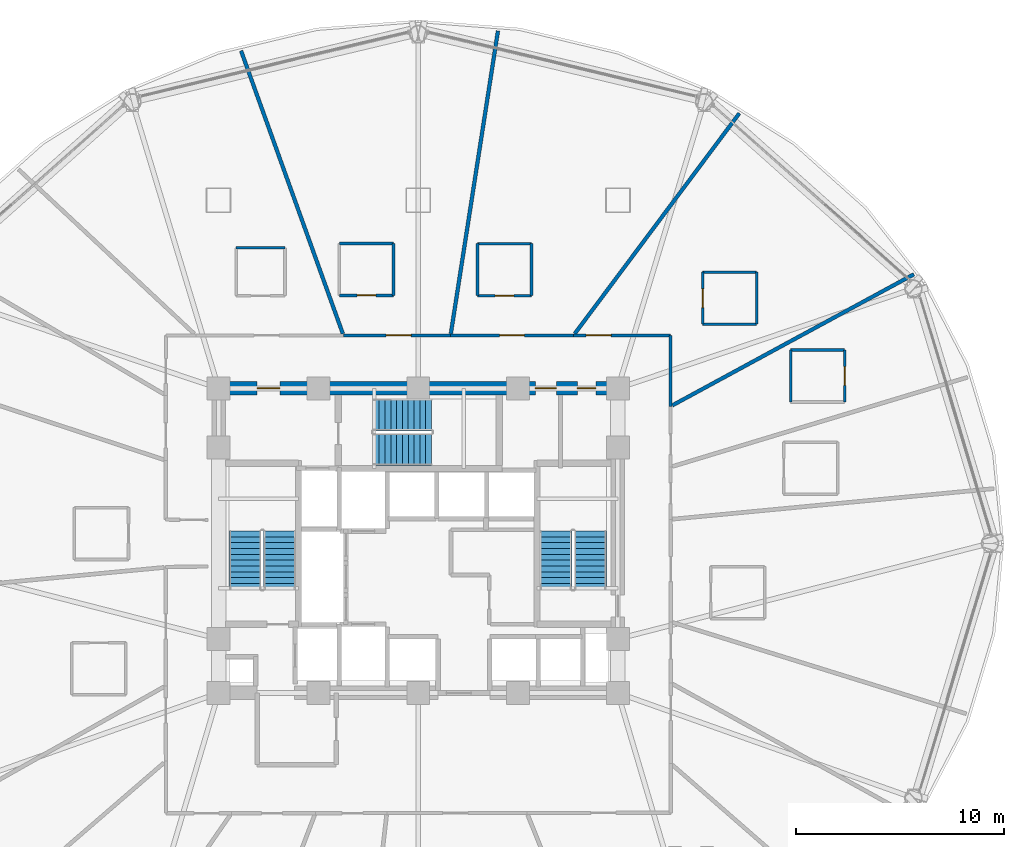
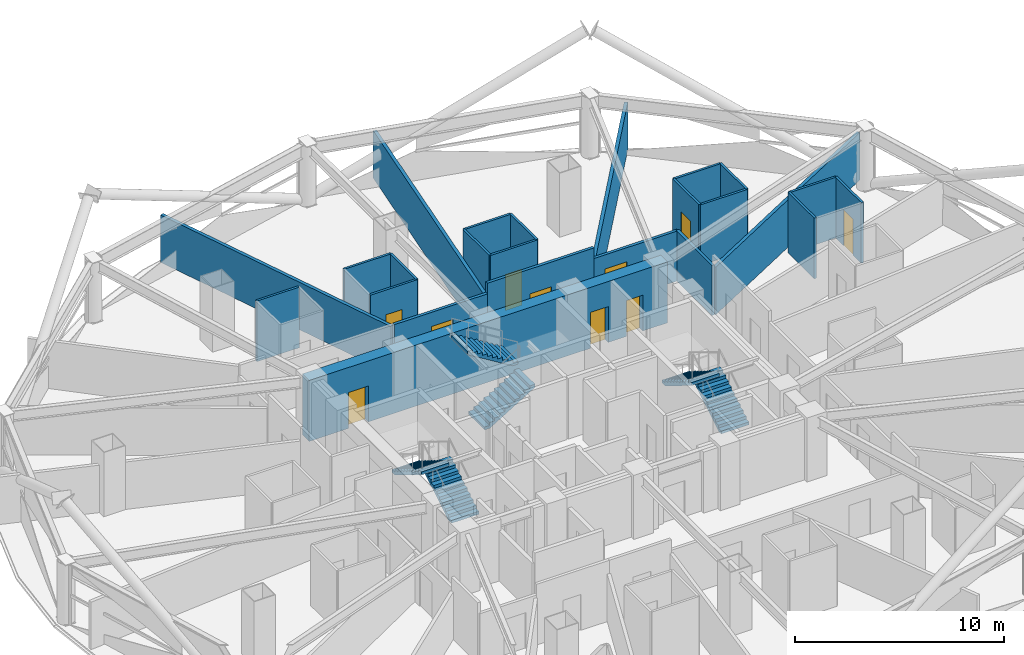
# One storey, part 25 of 30: 24 walls, 10 doors, 6 stair flights, 10 openings, 3 elements without a shape of their own.
"""IFC4 building model written with IfcOpenShell, lengths in metres."""

from ifc_helpers import new_model, si_unit, direction, frame, frame_2d, origin, place, context, subcontext, project, spatial, polyline, rectangle, outline, extrude, material, layer, layer_set, type_object, element, fill, aggregate, save


model = new_model("IFC4")

# Units and contexts
model_context = context("Model", 3, precision=1e-05, world=origin(), true_north=direction((0.0, 1.0)))
body_context = subcontext(model_context, "Body", "Model", "MODEL_VIEW")
ifc_project = project(units=[si_unit("LENGTHUNIT", "METRE"), si_unit("AREAUNIT", "SQUARE_METRE"), si_unit("VOLUMEUNIT", "CUBIC_METRE"), si_unit("PLANEANGLEUNIT", "RADIAN"), si_unit("MASSUNIT", "GRAM", prefix="KILO")], contexts=[model_context])

# Site, building, storey
site_placement = place(None, origin())
site = spatial("IfcSite", under=ifc_project, at=site_placement, CompositionType="ELEMENT")
building_placement = place(site_placement, origin())
building = spatial("IfcBuilding", under=site, at=building_placement, Name="Vantalir Tower", CompositionType="ELEMENT")
storey_placement = place(building_placement, frame((0.0, 0.0, 79.5)))
storey = spatial("IfcBuildingStorey", under=building, at=storey_placement, Name="L19", CompositionType="ELEMENT", Elevation=79.5)

# Walls
ifc_material_1 = material(Name="Moisture-resistant en-suite partition", Category="gypsum")
ifc_layer_1 = layer(ifc_material_1, 0.125)
ifc_layer_set_1 = layer_set([ifc_layer_1], Name="Moisture-resistant en-suite partition")
wall_type_1 = type_object("IfcWallType", Name="WL-BATH-125", PredefinedType="PARTITIONING", material=ifc_layer_set_1)
wall_1_placement = place(storey_placement, frame((49.408935546875, 34.294921875, 0.0), z_axis=(0.0, 0.0, 1.0), x_axis=(1.0, 0.0, 0.0)))
element("IfcWall", 1, at=wall_1_placement, inside=storey, type_object=wall_type_1, Name="L19 En-suite 02 North Wall", PredefinedType="PARTITIONING", context=body_context, shape_type="SweptSolid", body=[
    extrude(rectangle(XDim=2.60009765625, YDim=0.125, at=frame_2d((1.300048828125, 0.0))), origin(), (0.0, 0.0, 1.0), 3.550048828125),
])
wall_2_placement = place(storey_placement, frame((49.408935546875, 31.794921875, 0.0), z_axis=(0.0, 0.0, 1.0), x_axis=(0.0, 1.0, 0.0)))
element("IfcWall", 2, at=wall_2_placement, inside=storey, type_object=wall_type_1, Name="L19 En-suite 02 West Wall", PredefinedType="PARTITIONING", context=body_context, shape_type="SweptSolid", body=[
    extrude(rectangle(XDim=2.5, YDim=0.125, at=frame_2d((1.25, 0.0))), origin(), (0.0, 0.0, 1.0), 3.550048828125),
])

# Wall, opening, door
wall_3_placement = place(storey_placement, frame((52.009033203125, 31.794921875, 0.0), z_axis=(0.0, 0.0, 1.0), x_axis=(0.0, 1.0, 0.0)))
wall_3 = element("IfcWall", 3, at=wall_3_placement, inside=storey, type_object=wall_type_1, Name="L19 En-suite 02 East Wall", PredefinedType="PARTITIONING", context=body_context, shape_type="SweptSolid", body=[
    extrude(rectangle(XDim=2.5, YDim=0.125, at=frame_2d((1.25, 0.0))), origin(), (0.0, 0.0, 1.0), 3.550048828125),
])
opening_1_placement = place(wall_3_placement, frame((0.800048828125, 0.0, 0.0)))
opening_1 = element("IfcOpeningElement", 4, at=opening_1_placement, cuts=wall_3, Name="Opening D-WC", PredefinedType="OPENING", context=body_context, shape_type="SweptSolid", body=[
    extrude(rectangle(XDim=0.89990234375, YDim=2.10009765625, at=frame_2d((0.449951171875, 1.050048828125))), frame((0.0, 0.072509765625, 0.0), z_axis=(0.0, -1.0, 0.0), x_axis=(1.0, 0.0, 0.0)), (0.0, 0.0, 1.0), 0.14501953125),
])
ifc_material_2 = material(Name="Moisture-resistant hardwood door", Category="wood")
door_type_1 = type_object("IfcDoorType", Name="DR-ENSUITE-900", OperationType="NOTDEFINED", PredefinedType="DOOR", material=ifc_material_2)
door_1_placement = place(opening_1_placement, origin())
door_1 = element("IfcDoor", 5, at=door_1_placement, inside=storey, type_object=door_type_1, Name="L19 En-suite 02 Door", OperationType="SINGLE_SWING_RIGHT", OverallHeight=2.10009765625, OverallWidth=0.89990234375, PredefinedType="DOOR", context=body_context, shape_type="SweptSolid", body=[
    extrude(rectangle(XDim=0.89990234375, YDim=2.10009765625, at=frame_2d((0.449951171875, 1.050048828125))), frame((0.0, 0.02490234375, 0.0), z_axis=(0.0, -1.0, 0.0), x_axis=(1.0, 0.0, 0.0)), (0.0, 0.0, 1.0), 0.050048828125),
])
fill(opening_1, door_1)

# Walls
for number, where, z_axis, x_axis, name in (
    (6, (45.177978515625, 35.541015625, 0.0), (0.0, 0.0, 1.0), (1.0, 0.0, 0.0), "L19 En-suite 03 South Wall"),
    (7, (45.177978515625, 38.041015625, 0.0), (0.0, 0.0, 1.0), (1.0, 0.0, 0.0), "L19 En-suite 03 North Wall"),
):
    element("IfcWall", number, at=place(storey_placement, frame(where, z_axis=z_axis, x_axis=x_axis)), inside=storey, type_object=wall_type_1, Name=name, PredefinedType="PARTITIONING", context=body_context, shape_type="SweptSolid", body=[
        extrude(rectangle(XDim=2.60009765625, YDim=0.125, at=frame_2d((1.300048828125, 0.0))), origin(), (0.0, 0.0, 1.0), 3.550048828125),
    ])

# Wall, opening, door
wall_4_placement = place(storey_placement, frame((45.177978515625, 35.541015625, 0.0), z_axis=(0.0, 0.0, 1.0), x_axis=(0.0, 1.0, 0.0)))
wall_4 = element("IfcWall", 8, at=wall_4_placement, inside=storey, type_object=wall_type_1, Name="L19 En-suite 03 West Wall", PredefinedType="PARTITIONING", context=body_context, shape_type="SweptSolid", body=[
    extrude(rectangle(XDim=2.5, YDim=0.125, at=frame_2d((1.25, 0.0))), origin(), (0.0, 0.0, 1.0), 3.550048828125),
])
opening_2_placement = place(wall_4_placement, frame((0.800048828125, 0.0, 0.0)))
opening_2 = element("IfcOpeningElement", 9, at=opening_2_placement, cuts=wall_4, Name="Opening D-WC", PredefinedType="OPENING", context=body_context, shape_type="SweptSolid", body=[
    extrude(rectangle(XDim=0.89990234375, YDim=2.10009765625, at=frame_2d((0.449951171875, 1.050048828125))), frame((0.0, 0.072509765625, 0.0), z_axis=(0.0, -1.0, 0.0), x_axis=(1.0, 0.0, 0.0)), (0.0, 0.0, 1.0), 0.14501953125),
])
door_2_placement = place(opening_2_placement, frame((0.89990234375, 0.0, 0.0), z_axis=(0.0, 0.0, 1.0), x_axis=(-1.0, 0.0, 0.0)))
door_2 = element("IfcDoor", 10, at=door_2_placement, inside=storey, type_object=door_type_1, Name="L19 En-suite 03 Door", OperationType="SINGLE_SWING_LEFT", OverallHeight=2.10009765625, OverallWidth=0.89990234375, PredefinedType="DOOR", context=body_context, shape_type="SweptSolid", body=[
    extrude(rectangle(XDim=0.89990234375, YDim=2.10009765625, at=frame_2d((0.449951171875, 1.050048828125))), frame((0.0, 0.02490234375, 0.0), z_axis=(0.0, -1.0, 0.0), x_axis=(1.0, 0.0, 0.0)), (0.0, 0.0, 1.0), 0.050048828125),
])
fill(opening_2, door_2)

# Wall
wall_5_placement = place(storey_placement, frame((47.778076171875, 35.541015625, 0.0), z_axis=(0.0, 0.0, 1.0), x_axis=(0.0, 1.0, 0.0)))
element("IfcWall", 11, at=wall_5_placement, inside=storey, type_object=wall_type_1, Name="L19 En-suite 03 East Wall", PredefinedType="PARTITIONING", context=body_context, shape_type="SweptSolid", body=[
    extrude(rectangle(XDim=2.5, YDim=0.125, at=frame_2d((1.25, 0.0))), origin(), (0.0, 0.0, 1.0), 3.550048828125),
])

# Wall, opening, door
wall_6_placement = place(storey_placement, frame((34.34912109375, 36.9130859375, 0.0), z_axis=(0.0, 0.0, 1.0), x_axis=(1.0, 0.0, 0.0)))
wall_6 = element("IfcWall", 12, at=wall_6_placement, inside=storey, type_object=wall_type_1, Name="L19 En-suite 04 South Wall", PredefinedType="PARTITIONING", context=body_context, shape_type="SweptSolid", body=[
    extrude(rectangle(XDim=2.599853515625, YDim=0.125, at=frame_2d((1.2998046875, 0.0))), origin(), (0.0, 0.0, 1.0), 3.550048828125),
])
opening_3_placement = place(wall_6_placement, frame((0.85009765625, 0.0, 0.0)))
opening_3 = element("IfcOpeningElement", 13, at=opening_3_placement, cuts=wall_6, Name="Opening D-WC", PredefinedType="OPENING", context=body_context, shape_type="SweptSolid", body=[
    extrude(rectangle(XDim=0.89990234375, YDim=2.10009765625, at=frame_2d((0.449951171875, 1.050048828125))), frame((0.0, 0.072509765625, 0.0), z_axis=(0.0, -1.0, 0.0), x_axis=(1.0, 0.0, 0.0)), (0.0, 0.0, 1.0), 0.14501953125),
])
door_3_placement = place(opening_3_placement, origin())
door_3 = element("IfcDoor", 14, at=door_3_placement, inside=storey, type_object=door_type_1, Name="L19 En-suite 04 Door", OperationType="SINGLE_SWING_RIGHT", OverallHeight=2.10009765625, OverallWidth=0.89990234375, PredefinedType="DOOR", context=body_context, shape_type="SweptSolid", body=[
    extrude(rectangle(XDim=0.89990234375, YDim=2.10009765625, at=frame_2d((0.449951171875, 1.050048828125))), frame((0.0, 0.02490234375, 0.0), z_axis=(0.0, -1.0, 0.0), x_axis=(1.0, 0.0, 0.0)), (0.0, 0.0, 1.0), 0.050048828125),
])
fill(opening_3, door_3)

# Walls
wall_7_placement = place(storey_placement, frame((34.34912109375, 39.4130859375, 0.0), z_axis=(0.0, 0.0, 1.0), x_axis=(1.0, 0.0, 0.0)))
element("IfcWall", 15, at=wall_7_placement, inside=storey, type_object=wall_type_1, Name="L19 En-suite 04 North Wall", PredefinedType="PARTITIONING", context=body_context, shape_type="SweptSolid", body=[
    extrude(rectangle(XDim=2.599853515625, YDim=0.125, at=frame_2d((1.2998046875, 0.0))), origin(), (0.0, 0.0, 1.0), 3.550048828125),
])
for number, where, z_axis, x_axis, name in (
    (16, (34.34912109375, 36.9130859375, 0.0), (0.0, 0.0, 1.0), (0.0, 1.0, 0.0), "L19 En-suite 04 West Wall"),
    (17, (36.948974609375, 36.9130859375, 0.0), (0.0, 0.0, 1.0), (0.0, 1.0, 0.0), "L19 En-suite 04 East Wall"),
):
    element("IfcWall", number, at=place(storey_placement, frame(where, z_axis=z_axis, x_axis=x_axis)), inside=storey, type_object=wall_type_1, Name=name, PredefinedType="PARTITIONING", context=body_context, shape_type="SweptSolid", body=[
        extrude(rectangle(XDim=2.5, YDim=0.125, at=frame_2d((1.25, 0.0))), origin(), (0.0, 0.0, 1.0), 3.550048828125),
    ])

# Wall, opening, door
wall_8_placement = place(storey_placement, frame((27.708984375, 36.919921875, 0.0), z_axis=(0.0, 0.0, 1.0), x_axis=(1.0, 0.0, 0.0)))
wall_8 = element("IfcWall", 18, at=wall_8_placement, inside=storey, type_object=wall_type_1, Name="L19 En-suite 05 South Wall", PredefinedType="PARTITIONING", context=body_context, shape_type="SweptSolid", body=[
    extrude(rectangle(XDim=2.60009765625, YDim=0.125, at=frame_2d((1.300048828125, 0.0))), origin(), (0.0, 0.0, 1.0), 3.550048828125),
])
opening_4_placement = place(wall_8_placement, frame((0.85009765625, 0.0, 0.0)))
opening_4 = element("IfcOpeningElement", 19, at=opening_4_placement, cuts=wall_8, Name="Opening D-WC", PredefinedType="OPENING", context=body_context, shape_type="SweptSolid", body=[
    extrude(rectangle(XDim=0.89990234375, YDim=2.10009765625, at=frame_2d((0.449951171875, 1.050048828125))), frame((0.0, 0.072509765625, 0.0), z_axis=(0.0, -1.0, 0.0), x_axis=(1.0, 0.0, 0.0)), (0.0, 0.0, 1.0), 0.14501953125),
])
door_4_placement = place(opening_4_placement, origin())
door_4 = element("IfcDoor", 20, at=door_4_placement, inside=storey, type_object=door_type_1, Name="L19 En-suite 05 Door", OperationType="SINGLE_SWING_LEFT", OverallHeight=2.10009765625, OverallWidth=0.89990234375, PredefinedType="DOOR", context=body_context, shape_type="SweptSolid", body=[
    extrude(rectangle(XDim=0.89990234375, YDim=2.10009765625, at=frame_2d((0.449951171875, 1.050048828125))), frame((0.0, 0.02490234375, 0.0), z_axis=(0.0, -1.0, 0.0), x_axis=(1.0, 0.0, 0.0)), (0.0, 0.0, 1.0), 0.050048828125),
])
fill(opening_4, door_4)

# Walls
wall_9_placement = place(storey_placement, frame((27.708984375, 39.419921875, 0.0), z_axis=(0.0, 0.0, 1.0), x_axis=(1.0, 0.0, 0.0)))
element("IfcWall", 21, at=wall_9_placement, inside=storey, type_object=wall_type_1, Name="L19 En-suite 05 North Wall", PredefinedType="PARTITIONING", context=body_context, shape_type="SweptSolid", body=[
    extrude(rectangle(XDim=2.60009765625, YDim=0.125, at=frame_2d((1.300048828125, 0.0))), origin(), (0.0, 0.0, 1.0), 3.550048828125),
])
wall_10_placement = place(storey_placement, frame((30.30908203125, 36.919921875, 0.0), z_axis=(0.0, 0.0, 1.0), x_axis=(0.0, 1.0, 0.0)))
element("IfcWall", 22, at=wall_10_placement, inside=storey, type_object=wall_type_1, Name="L19 En-suite 05 East Wall", PredefinedType="PARTITIONING", context=body_context, shape_type="SweptSolid", body=[
    extrude(rectangle(XDim=2.5, YDim=0.125, at=frame_2d((1.25, 0.0))), origin(), (0.0, 0.0, 1.0), 3.550048828125),
])
wall_11_placement = place(storey_placement, frame((22.742919921875, 39.212890625, 0.0), z_axis=(0.0, 0.0, 1.0), x_axis=(1.0, 0.0, 0.0)))
element("IfcWall", 23, at=wall_11_placement, inside=storey, type_object=wall_type_1, Name="L19 En-suite 06 North Wall", PredefinedType="PARTITIONING", context=body_context, shape_type="SweptSolid", body=[
    extrude(rectangle(XDim=2.35009765625, YDim=0.125, at=frame_2d((1.175048828125, 0.0))), origin(), (0.0, 0.0, 1.0), 3.550048828125),
])

# Wall, openings, doors
ifc_material_3 = material(Name="Concrete C60/75", Category="concrete")
ifc_layer_2 = layer(ifc_material_3, 0.64990234375)
ifc_layer_set_2 = layer_set([ifc_layer_2], Name="Concrete C60/75")
wall_type_2 = type_object("IfcWallType", Name="WL-CORE-650", PredefinedType="SHEAR", material=ifc_layer_set_2)
wall_12_placement = place(storey_placement, frame((21.574951171875, 32.449951171875, 0.0), z_axis=(0.0, 0.0, 1.0), x_axis=(1.0, 0.0, 0.0)))
wall_12 = element("IfcWall", 24, at=wall_12_placement, inside=storey, type_object=wall_type_2, Name="L19 Core Shear Wall North", PredefinedType="SHEAR", context=body_context, shape_type="SweptSolid", body=[
    extrude(rectangle(XDim=19.85009765625, YDim=0.64990234375, at=frame_2d((9.925048828125, 0.0))), origin(), (0.0, 0.0, 1.0), 3.570068359375),
])
opening_5_placement = place(wall_12_placement, frame((2.175048828125, 0.0, 0.0)))
opening_5 = element("IfcOpeningElement", 25, at=opening_5_placement, cuts=wall_12, Name="Opening D-FFL", PredefinedType="OPENING", context=body_context, shape_type="SweptSolid", body=[
    extrude(rectangle(XDim=1.10009765625, YDim=2.10009765625, at=frame_2d((0.550048828125, 1.050048828125))), frame((0.0, 0.3349609375, 0.0), z_axis=(0.0, -1.0, 0.0), x_axis=(1.0, 0.0, 0.0)), (0.0, 0.0, 1.0), 0.669921875),
])
opening_6_placement = place(wall_12_placement, frame((15.56494140625, 0.0, 0.0)))
opening_6 = element("IfcOpeningElement", 26, at=opening_6_placement, cuts=wall_12, Name="Opening D-GUEST", PredefinedType="OPENING", context=body_context, shape_type="SweptSolid", body=[
    extrude(rectangle(XDim=1.0, YDim=2.10009765625, at=frame_2d((0.5, 1.050048828125))), frame((0.0, 0.3349609375, 0.0), z_axis=(0.0, -1.0, 0.0), x_axis=(1.0, 0.0, 0.0)), (0.0, 0.0, 1.0), 0.669921875),
])
opening_7_placement = place(wall_12_placement, frame((17.574951171875, 0.0, 0.0)))
opening_7 = element("IfcOpeningElement", 27, at=opening_7_placement, cuts=wall_12, Name="Opening D-CR", PredefinedType="OPENING", context=body_context, shape_type="SweptSolid", body=[
    extrude(rectangle(XDim=0.89990234375, YDim=2.10009765625, at=frame_2d((0.449951171875, 1.050048828125))), frame((0.0, 0.3349609375, 0.0), z_axis=(0.0, -1.0, 0.0), x_axis=(1.0, 0.0, 0.0)), (0.0, 0.0, 1.0), 0.669921875),
])
ifc_material_4 = material(Name="Fire-rated steel core service door", Category="steel")
door_type_2 = type_object("IfcDoorType", Name="DR-CORE-SERV-900", OperationType="NOTDEFINED", PredefinedType="DOOR", material=ifc_material_4)
door_5_placement = place(opening_7_placement, frame((0.89990234375, 0.0, 0.0), z_axis=(0.0, 0.0, 1.0), x_axis=(-1.0, 0.0, 0.0)))
door_5 = element("IfcDoor", 28, at=door_5_placement, inside=storey, type_object=door_type_2, Name="L19 Housekeeping and Linen Room Door", OperationType="SINGLE_SWING_RIGHT", OverallHeight=2.10009765625, OverallWidth=0.89990234375, PredefinedType="DOOR", context=body_context, shape_type="SweptSolid", body=[
    extrude(rectangle(XDim=0.89990234375, YDim=2.10009765625, at=frame_2d((0.449951171875, 1.050048828125))), frame((0.0, 0.02490234375, 0.0), z_axis=(0.0, -1.0, 0.0), x_axis=(1.0, 0.0, 0.0)), (0.0, 0.0, 1.0), 0.050048828125),
])
fill(opening_7, door_5)
ifc_material_5 = material(Name="Fire-rated acoustic steel door", Category="steel")
door_type_3 = type_object("IfcDoorType", Name="DR-FIRE-LOBBY-1100", OperationType="NOTDEFINED", PredefinedType="DOOR", material=ifc_material_5)
door_6_placement = place(opening_5_placement, frame((1.10009765625, 0.0, 0.0), z_axis=(0.0, 0.0, 1.0), x_axis=(-1.0, 0.0, 0.0)))
door_6 = element("IfcDoor", 29, at=door_6_placement, inside=storey, type_object=door_type_3, Name="L19 Firefighting Lobby East Access Door", OperationType="SINGLE_SWING_LEFT", OverallHeight=2.10009765625, OverallWidth=1.10009765625, PredefinedType="DOOR", context=body_context, shape_type="SweptSolid", body=[
    extrude(rectangle(XDim=1.10009765625, YDim=2.10009765625, at=frame_2d((0.550048828125, 1.050048828125))), frame((0.0, 0.02490234375, 0.0), z_axis=(0.0, -1.0, 0.0), x_axis=(1.0, 0.0, 0.0)), (0.0, 0.0, 1.0), 0.050048828125),
])
fill(opening_5, door_6)
ifc_material_6 = material(Name="Solid-core teak veneer acoustic fire door", Category="wood")
door_type_4 = type_object("IfcDoorType", Name="DR-GUEST-ENTRY-1000", OperationType="NOTDEFINED", PredefinedType="DOOR", material=ifc_material_6)
door_7_placement = place(opening_6_placement, frame((1.0, 0.0, 0.0), z_axis=(0.0, 0.0, 1.0), x_axis=(-1.0, 0.0, 0.0)))
door_7 = element("IfcDoor", 30, at=door_7_placement, inside=storey, type_object=door_type_4, Name="L19 High-Rise Lift Lobby Door", OperationType="SINGLE_SWING_LEFT", OverallHeight=2.10009765625, OverallWidth=1.0, PredefinedType="DOOR", context=body_context, shape_type="SweptSolid", body=[
    extrude(rectangle(XDim=1.0, YDim=2.10009765625, at=frame_2d((0.5, 1.050048828125))), frame((0.0, 0.02490234375, 0.0), z_axis=(0.0, -1.0, 0.0), x_axis=(1.0, 0.0, 0.0)), (0.0, 0.0, 1.0), 0.050048828125),
])
fill(opening_6, door_7)

# Wall, opening, door
ifc_material_7 = material(Name="Fire-rated hotel corridor acoustic partition", Category="gypsum")
ifc_layer_3 = layer(ifc_material_7, 0.159912109375)
ifc_layer_set_3 = layer_set([ifc_layer_3], Name="Fire-rated hotel corridor acoustic partition")
wall_type_3 = type_object("IfcWallType", Name="WL-CORR-160", PredefinedType="PARTITIONING", material=ifc_layer_set_3)
wall_13_placement = place(storey_placement, frame((27.903076171875, 34.998046875, 0.0), z_axis=(0.0, 0.0, 1.0), x_axis=(1.0, 0.0, 0.0)))
wall_13 = element("IfcWall", 31, at=wall_13_placement, inside=storey, type_object=wall_type_3, Name="L19 Corridor Partition 07", PredefinedType="PARTITIONING", context=body_context, shape_type="SweptSolid", body=[
    extrude(rectangle(XDim=5.15283203125, YDim=0.159912109375, at=frame_2d((2.576416015625, 0.0))), origin(), (0.0, 0.0, 1.0), 2.927978515625),
])
opening_8_placement = place(wall_13_placement, frame((2.049072265625, 0.0, 0.0)))
opening_8 = element("IfcOpeningElement", 32, at=opening_8_placement, cuts=wall_13, Name="Opening D-STE", PredefinedType="OPENING", context=body_context, shape_type="SweptSolid", body=[
    extrude(rectangle(XDim=1.199951171875, YDim=2.10009765625, at=frame_2d((0.60009765625, 1.050048828125))), frame((0.0, 0.08984375, 0.0), z_axis=(0.0, -1.0, 0.0), x_axis=(1.0, 0.0, 0.0)), (0.0, 0.0, 1.0), 0.179931640625),
])
ifc_material_8 = material(Name="Solid-core teak veneer suite entrance door", Category="wood")
door_type_5 = type_object("IfcDoorType", Name="DR-SUITE-ENTRY-1200", OperationType="NOTDEFINED", PredefinedType="DOOR", material=ifc_material_8)
door_8_placement = place(opening_8_placement, origin())
door_8 = element("IfcDoor", 33, at=door_8_placement, inside=storey, type_object=door_type_5, Name="L19 Executive Club Hotel Suite 05 Door", OperationType="SINGLE_SWING_LEFT", OverallHeight=2.10009765625, OverallWidth=1.199951171875, PredefinedType="DOOR", context=body_context, shape_type="SweptSolid", body=[
    extrude(rectangle(XDim=1.199951171875, YDim=2.10009765625, at=frame_2d((0.60009765625, 1.050048828125))), frame((0.0, 0.02490234375, 0.0), z_axis=(0.0, -1.0, 0.0), x_axis=(1.0, 0.0, 0.0)), (0.0, 0.0, 1.0), 0.050048828125),
])
fill(opening_8, door_8)

wall_14_placement = place(storey_placement, frame((33.055908203125, 34.998046875, 0.0), z_axis=(0.0, 0.0, 1.0), x_axis=(1.0, 0.0, 0.0)))
wall_14 = element("IfcWall", 34, at=wall_14_placement, inside=storey, type_object=wall_type_3, Name="L19 Corridor Partition 08", PredefinedType="PARTITIONING", context=body_context, shape_type="SweptSolid", body=[
    extrude(rectangle(XDim=5.91015625, YDim=0.159912109375, at=frame_2d((2.955078125, 0.0))), origin(), (0.0, 0.0, 1.0), 3.550048828125),
])
opening_9_placement = place(wall_14_placement, frame((2.35498046875, 0.0, 0.0)))
opening_9 = element("IfcOpeningElement", 35, at=opening_9_placement, cuts=wall_14, Name="Opening D-STE", PredefinedType="OPENING", context=body_context, shape_type="SweptSolid", body=[
    extrude(rectangle(XDim=1.199951171875, YDim=2.10009765625, at=frame_2d((0.60009765625, 1.050048828125))), frame((0.0, 0.08984375, 0.0), z_axis=(0.0, -1.0, 0.0), x_axis=(1.0, 0.0, 0.0)), (0.0, 0.0, 1.0), 0.179931640625),
])
door_9_placement = place(opening_9_placement, origin())
door_9 = element("IfcDoor", 36, at=door_9_placement, inside=storey, type_object=door_type_5, Name="L19 Corner Panorama Hotel Suite 04 Door", OperationType="SINGLE_SWING_RIGHT", OverallHeight=2.10009765625, OverallWidth=1.199951171875, PredefinedType="DOOR", context=body_context, shape_type="SweptSolid", body=[
    extrude(rectangle(XDim=1.199951171875, YDim=2.10009765625, at=frame_2d((0.60009765625, 1.050048828125))), frame((0.0, 0.02490234375, 0.0), z_axis=(0.0, -1.0, 0.0), x_axis=(1.0, 0.0, 0.0)), (0.0, 0.0, 1.0), 0.050048828125),
])
fill(opening_9, door_9)

wall_15_placement = place(storey_placement, frame((38.966064453125, 34.998046875, 0.0), z_axis=(0.0, 0.0, 1.0), x_axis=(1.0, 0.0, 0.0)))
wall_15 = element("IfcWall", 37, at=wall_15_placement, inside=storey, type_object=wall_type_3, Name="L19 Corridor Partition 09", PredefinedType="PARTITIONING", context=body_context, shape_type="SweptSolid", body=[
    extrude(rectangle(XDim=4.6650390625, YDim=0.159912109375, at=frame_2d((2.33251953125, 0.0))), origin(), (0.0, 0.0, 1.0), 2.927978515625),
])
opening_10_placement = place(wall_15_placement, frame((0.60888671875, 0.0, 0.0)))
opening_10 = element("IfcOpeningElement", 38, at=opening_10_placement, cuts=wall_15, Name="Opening D-STE", PredefinedType="OPENING", context=body_context, shape_type="SweptSolid", body=[
    extrude(rectangle(XDim=1.199951171875, YDim=2.10009765625, at=frame_2d((0.60009765625, 1.050048828125))), frame((0.0, 0.08984375, 0.0), z_axis=(0.0, -1.0, 0.0), x_axis=(1.0, 0.0, 0.0)), (0.0, 0.0, 1.0), 0.179931640625),
])
door_10_placement = place(opening_10_placement, origin())
door_10 = element("IfcDoor", 39, at=door_10_placement, inside=storey, type_object=door_type_5, Name="L19 Executive Club Hotel Suite 03 Door", OperationType="SINGLE_SWING_LEFT", OverallHeight=2.10009765625, OverallWidth=1.199951171875, PredefinedType="DOOR", context=body_context, shape_type="SweptSolid", body=[
    extrude(rectangle(XDim=1.199951171875, YDim=2.10009765625, at=frame_2d((0.60009765625, 1.050048828125))), frame((0.0, 0.02490234375, 0.0), z_axis=(0.0, -1.0, 0.0), x_axis=(1.0, 0.0, 0.0)), (0.0, 0.0, 1.0), 0.050048828125),
])
fill(opening_10, door_10)

# Walls
wall_16_placement = place(storey_placement, frame((43.631103515625, 34.998046875, 0.0), z_axis=(0.0, 0.0, 1.0), x_axis=(0.000858368782, -0.999999631601, 0.0)))
element("IfcWall", 40, at=wall_16_placement, inside=storey, type_object=wall_type_3, Name="L19 Corridor Partition 10", PredefinedType="PARTITIONING", context=body_context, shape_type="SweptSolid", body=[
    extrude(rectangle(XDim=3.4130859375, YDim=0.159912109375, at=frame_2d((1.70654296875, 0.0))), origin(), (0.0, 0.0, 1.0), 2.927978515625),
])
ifc_material_9 = material(Name="Twin-stud acoustic fire-rated gypsum partition", Category="gypsum")
ifc_layer_4 = layer(ifc_material_9, 0.179931640625)
ifc_layer_set_4 = layer_set([ifc_layer_4], Name="Twin-stud acoustic fire-rated gypsum partition")
wall_type_4 = type_object("IfcWallType", Name="WL-GUEST-180", PredefinedType="PARTITIONING", material=ifc_layer_set_4)
wall_17_placement = place(storey_placement, frame((43.72802734375, 31.635986328125, 0.0), z_axis=(0.0, 0.0, 1.0), x_axis=(0.878890179317, 0.477024163643, 0.0)))
element("IfcWall", 41, at=wall_17_placement, inside=storey, type_object=wall_type_4, Name="L19 Radial Suite Partition 03", PredefinedType="PARTITIONING", context=body_context, shape_type="SweptSolid", body=[
    extrude(rectangle(XDim=13.211181640625, YDim=0.179931640625, at=frame_2d((6.60546875, 0.0))), origin(), (0.0, 0.0, 1.0), 2.77490234375),
])
wall_18_placement = place(storey_placement, frame((39.02587890625, 35.077880859375, 0.0), z_axis=(0.0, 0.0, 1.0), x_axis=(0.598366758348, 0.801222330258, 0.0)))
element("IfcWall", 42, at=wall_18_placement, inside=storey, type_object=wall_type_4, Name="L19 Radial Suite Partition 04", PredefinedType="PARTITIONING", context=body_context, shape_type="SweptSolid", body=[
    extrude(rectangle(XDim=13.236328125, YDim=0.179931640625, at=frame_2d((6.6181640625, 0.0))), origin(), (0.0, 0.0, 1.0), 2.77490234375),
])
wall_19_placement = place(storey_placement, frame((33.068115234375, 35.077880859375, 0.0), z_axis=(0.0, 0.0, 1.0), x_axis=(0.153752995268, 0.988109314016, 0.0)))
element("IfcWall", 43, at=wall_19_placement, inside=storey, type_object=wall_type_4, Name="L19 Radial Suite Partition 05", PredefinedType="PARTITIONING", context=body_context, shape_type="SweptSolid", body=[
    extrude(rectangle(XDim=14.743408203125, YDim=0.179931640625, at=frame_2d((7.37158203125, 0.0))), origin(), (0.0, 0.0, 1.0), 2.77490234375),
])
wall_20_placement = place(storey_placement, frame((27.875, 35.077880859375, 0.0), z_axis=(0.0, 0.0, 1.0), x_axis=(-0.338534786173, 0.940953876952, 0.0)))
element("IfcWall", 44, at=wall_20_placement, inside=storey, type_object=wall_type_4, Name="L19 Radial Suite Partition 06", PredefinedType="PARTITIONING", context=body_context, shape_type="SweptSolid", body=[
    extrude(rectangle(XDim=14.465087890625, YDim=0.179931640625, at=frame_2d((7.232421875, 0.0))), origin(), (0.0, 0.0, 1.0), 2.77490234375),
])

# Stair, stair flights
ifc_material_10 = material(Name="Concrete C40/50", Category="concrete")
stair_type = type_object("IfcStairType", Name="STR-CORE-1450", PredefinedType="HALF_TURN_STAIR", material=ifc_material_10)
stair_1_placement = place(storey_placement, origin())
stair_1 = element("IfcStair", 45, at=stair_1_placement, inside=storey, type_object=stair_type, Name="L19 Core Exit Stair 1", PredefinedType="HALF_TURN_STAIR")
stair_flight_type = type_object("IfcStairFlightType", Name="FLT-CORE-1450", PredefinedType="STRAIGHT", material=ifc_material_10)
stair_flight_1_placement = place(storey_placement, frame((24.830078125, 22.7900390625, 0.0), z_axis=(0.0, 0.0, 1.0), x_axis=(0.0, 1.0, 0.0)))
stair_flight_1 = element("IfcStairFlight", 46, at=stair_flight_1_placement, type_object=stair_flight_type, Name="ST1 flight 1", NumberOfRisers=11, NumberOfTreads=10, PredefinedType="STRAIGHT", RiserHeight=0.170454545, TreadLength=0.28, context=body_context, shape_type="SweptSolid", body=[
    extrude(outline(polyline([(0.0, 0.0), (0.0, 0.17041015625), (0.280029296875, 0.17041015625), (0.280029296875, 0.3408203125), (0.56005859375, 0.3408203125), (0.56005859375, 0.511474609375), (0.840087890625, 0.511474609375), (0.840087890625, 0.681884765625), (1.1201171875, 0.681884765625), (1.1201171875, 0.852294921875), (1.39990234375, 0.852294921875), (1.39990234375, 1.022705078125), (1.679931640625, 1.022705078125), (1.679931640625, 1.193115234375), (1.9599609375, 1.193115234375), (1.9599609375, 1.363525390625), (2.239990234375, 1.363525390625), (2.239990234375, 1.5341796875), (2.52001953125, 1.5341796875), (2.52001953125, 1.70458984375), (2.800048828125, 1.70458984375), (2.800048828125, 1.875), (2.800048828125, 1.529052734375), (0.288330078125, 0.0), (0.0, 0.0)])), frame((0.0, 0.77001953125, 0.0), z_axis=(0.0, -1.0, 0.0), x_axis=(1.0, 0.0, 0.0)), (0.0, 0.0, 1.0), 1.5400390625),
])
stair_flight_2_placement = place(storey_placement, frame((23.169921875, 25.590087890625, 1.875), z_axis=(0.0, 0.0, 1.0), x_axis=(0.0, -1.0, 0.0)))
stair_flight_2 = element("IfcStairFlight", 47, at=stair_flight_2_placement, type_object=stair_flight_type, Name="ST1 flight 2", NumberOfRisers=11, NumberOfTreads=10, PredefinedType="STRAIGHT", RiserHeight=0.170454545, TreadLength=0.28, context=body_context, shape_type="SweptSolid", body=[
    extrude(outline(polyline([(0.0, 0.0), (0.0, 0.17041015625), (0.280029296875, 0.17041015625), (0.280029296875, 0.3408203125), (0.56005859375, 0.3408203125), (0.56005859375, 0.511474609375), (0.840087890625, 0.511474609375), (0.840087890625, 0.681884765625), (1.1201171875, 0.681884765625), (1.1201171875, 0.852294921875), (1.39990234375, 0.852294921875), (1.39990234375, 1.022705078125), (1.679931640625, 1.022705078125), (1.679931640625, 1.193115234375), (1.9599609375, 1.193115234375), (1.9599609375, 1.363525390625), (2.239990234375, 1.363525390625), (2.239990234375, 1.5341796875), (2.52001953125, 1.5341796875), (2.52001953125, 1.70458984375), (2.800048828125, 1.70458984375), (2.800048828125, 1.875), (2.800048828125, 1.529052734375), (0.288330078125, 0.0), (0.0, 0.0)])), frame((0.0, 0.77001953125, 0.0), z_axis=(0.0, -1.0, 0.0), x_axis=(1.0, 0.0, 0.0)), (0.0, 0.0, 1.0), 1.5400390625),
])
aggregate(stair_1, [stair_flight_1, stair_flight_2])

stair_2_placement = place(storey_placement, origin())
stair_2 = element("IfcStair", 48, at=stair_2_placement, inside=storey, type_object=stair_type, Name="L19 Core Exit Stair 2", PredefinedType="HALF_TURN_STAIR")
stair_flight_3_placement = place(storey_placement, frame((39.780029296875, 22.7900390625, 0.0), z_axis=(0.0, 0.0, 1.0), x_axis=(0.0, 1.0, 0.0)))
stair_flight_3 = element("IfcStairFlight", 49, at=stair_flight_3_placement, type_object=stair_flight_type, Name="ST2 flight 1", NumberOfRisers=11, NumberOfTreads=10, PredefinedType="STRAIGHT", RiserHeight=0.170454545, TreadLength=0.28, context=body_context, shape_type="SweptSolid", body=[
    extrude(outline(polyline([(0.0, 0.0), (0.0, 0.17041015625), (0.280029296875, 0.17041015625), (0.280029296875, 0.3408203125), (0.56005859375, 0.3408203125), (0.56005859375, 0.511474609375), (0.840087890625, 0.511474609375), (0.840087890625, 0.681884765625), (1.1201171875, 0.681884765625), (1.1201171875, 0.852294921875), (1.39990234375, 0.852294921875), (1.39990234375, 1.022705078125), (1.679931640625, 1.022705078125), (1.679931640625, 1.193115234375), (1.9599609375, 1.193115234375), (1.9599609375, 1.363525390625), (2.239990234375, 1.363525390625), (2.239990234375, 1.5341796875), (2.52001953125, 1.5341796875), (2.52001953125, 1.70458984375), (2.800048828125, 1.70458984375), (2.800048828125, 1.875), (2.800048828125, 1.529052734375), (0.288330078125, 0.0), (0.0, 0.0)])), frame((0.0, 0.77001953125, 0.0), z_axis=(0.0, -1.0, 0.0), x_axis=(1.0, 0.0, 0.0)), (0.0, 0.0, 1.0), 1.5400390625),
])
stair_flight_4_placement = place(storey_placement, frame((38.1201171875, 25.590087890625, 1.875), z_axis=(0.0, 0.0, 1.0), x_axis=(0.0, -1.0, 0.0)))
stair_flight_4 = element("IfcStairFlight", 50, at=stair_flight_4_placement, type_object=stair_flight_type, Name="ST2 flight 2", NumberOfRisers=11, NumberOfTreads=10, PredefinedType="STRAIGHT", RiserHeight=0.170454545, TreadLength=0.28, context=body_context, shape_type="SweptSolid", body=[
    extrude(outline(polyline([(0.0, 0.0), (0.0, 0.17041015625), (0.280029296875, 0.17041015625), (0.280029296875, 0.3408203125), (0.56005859375, 0.3408203125), (0.56005859375, 0.511474609375), (0.840087890625, 0.511474609375), (0.840087890625, 0.681884765625), (1.1201171875, 0.681884765625), (1.1201171875, 0.852294921875), (1.39990234375, 0.852294921875), (1.39990234375, 1.022705078125), (1.679931640625, 1.022705078125), (1.679931640625, 1.193115234375), (1.9599609375, 1.193115234375), (1.9599609375, 1.363525390625), (2.239990234375, 1.363525390625), (2.239990234375, 1.5341796875), (2.52001953125, 1.5341796875), (2.52001953125, 1.70458984375), (2.800048828125, 1.70458984375), (2.800048828125, 1.875), (2.800048828125, 1.529052734375), (0.288330078125, 0.0), (0.0, 0.0)])), frame((0.0, 0.77001953125, 0.0), z_axis=(0.0, -1.0, 0.0), x_axis=(1.0, 0.0, 0.0)), (0.0, 0.0, 1.0), 1.5400390625),
])
aggregate(stair_2, [stair_flight_3, stair_flight_4])

stair_3_placement = place(storey_placement, origin())
stair_3 = element("IfcStair", 51, at=stair_3_placement, inside=storey, type_object=stair_type, Name="L19 Core Exit Stair 3", PredefinedType="HALF_TURN_STAIR")
stair_flight_5_placement = place(storey_placement, frame((29.340087890625, 29.52001953125, 0.0), z_axis=(0.0, 0.0, 1.0), x_axis=(1.0, 0.0, 0.0)))
stair_flight_5 = element("IfcStairFlight", 52, at=stair_flight_5_placement, type_object=stair_flight_type, Name="ST3 flight 1", NumberOfRisers=11, NumberOfTreads=10, PredefinedType="STRAIGHT", RiserHeight=0.170454545, TreadLength=0.28, context=body_context, shape_type="SweptSolid", body=[
    extrude(outline(polyline([(0.0, 0.0), (0.0, 0.17041015625), (0.280029296875, 0.17041015625), (0.280029296875, 0.3408203125), (0.56005859375, 0.3408203125), (0.56005859375, 0.511474609375), (0.840087890625, 0.511474609375), (0.840087890625, 0.681884765625), (1.1201171875, 0.681884765625), (1.1201171875, 0.852294921875), (1.39990234375, 0.852294921875), (1.39990234375, 1.022705078125), (1.679931640625, 1.022705078125), (1.679931640625, 1.193115234375), (1.9599609375, 1.193115234375), (1.9599609375, 1.363525390625), (2.239990234375, 1.363525390625), (2.239990234375, 1.5341796875), (2.52001953125, 1.5341796875), (2.52001953125, 1.70458984375), (2.800048828125, 1.70458984375), (2.800048828125, 1.875), (2.800048828125, 1.529052734375), (0.288330078125, 0.0), (0.0, 0.0)])), frame((0.0, 0.77001953125, 0.0), z_axis=(0.0, -1.0, 0.0), x_axis=(1.0, 0.0, 0.0)), (0.0, 0.0, 1.0), 1.5400390625),
])
stair_flight_6_placement = place(storey_placement, frame((32.139892578125, 31.179931640625, 1.875), z_axis=(0.0, 0.0, 1.0), x_axis=(-1.0, 0.0, 0.0)))
stair_flight_6 = element("IfcStairFlight", 53, at=stair_flight_6_placement, type_object=stair_flight_type, Name="ST3 flight 2", NumberOfRisers=11, NumberOfTreads=10, PredefinedType="STRAIGHT", RiserHeight=0.170454545, TreadLength=0.28, context=body_context, shape_type="SweptSolid", body=[
    extrude(outline(polyline([(0.0, 0.0), (0.0, 0.17041015625), (0.280029296875, 0.17041015625), (0.280029296875, 0.3408203125), (0.56005859375, 0.3408203125), (0.56005859375, 0.511474609375), (0.840087890625, 0.511474609375), (0.840087890625, 0.681884765625), (1.1201171875, 0.681884765625), (1.1201171875, 0.852294921875), (1.39990234375, 0.852294921875), (1.39990234375, 1.022705078125), (1.679931640625, 1.022705078125), (1.679931640625, 1.193115234375), (1.9599609375, 1.193115234375), (1.9599609375, 1.363525390625), (2.239990234375, 1.363525390625), (2.239990234375, 1.5341796875), (2.52001953125, 1.5341796875), (2.52001953125, 1.70458984375), (2.800048828125, 1.70458984375), (2.800048828125, 1.875), (2.800048828125, 1.529052734375), (0.288330078125, 0.0), (0.0, 0.0)])), frame((0.0, 0.77001953125, 0.0), z_axis=(0.0, -1.0, 0.0), x_axis=(1.0, 0.0, 0.0)), (0.0, 0.0, 1.0), 1.5400390625),
])
aggregate(stair_3, [stair_flight_5, stair_flight_6])

save(model, "model.ifc")
